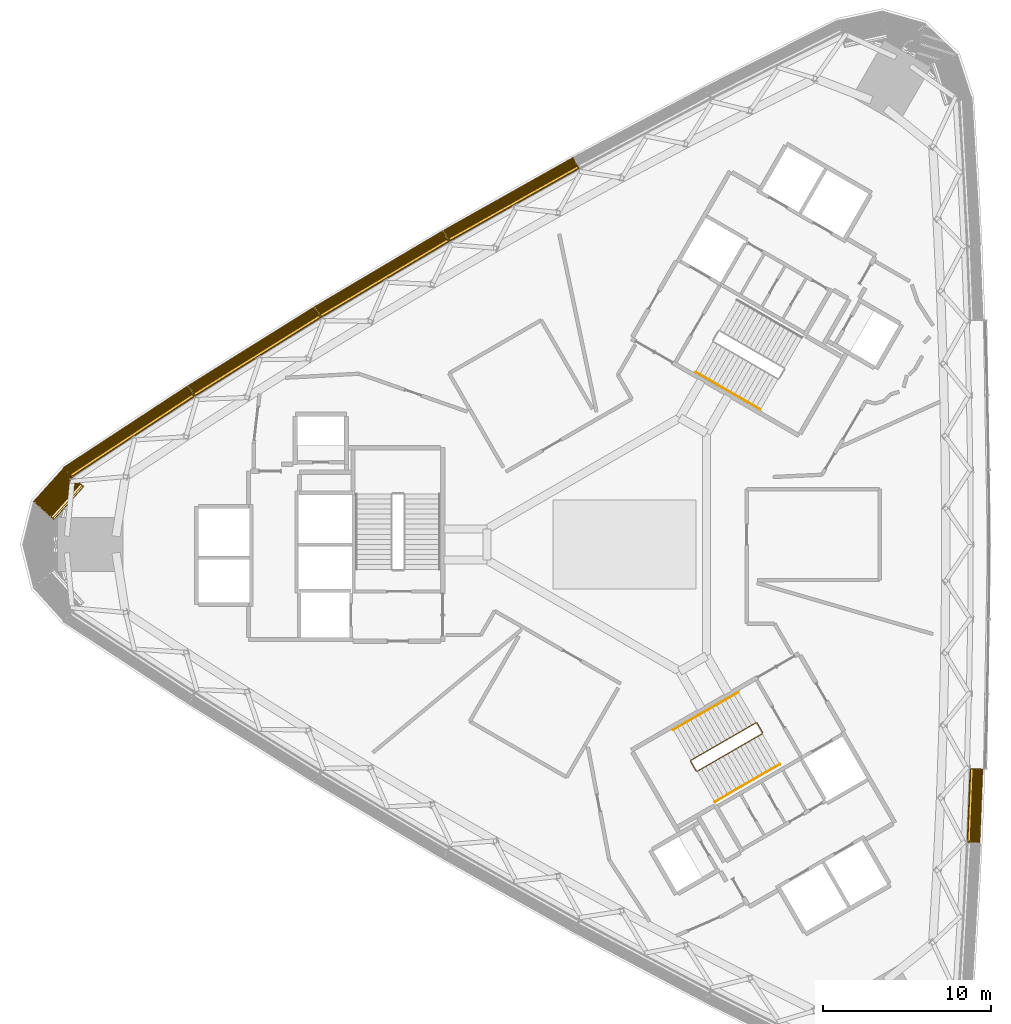
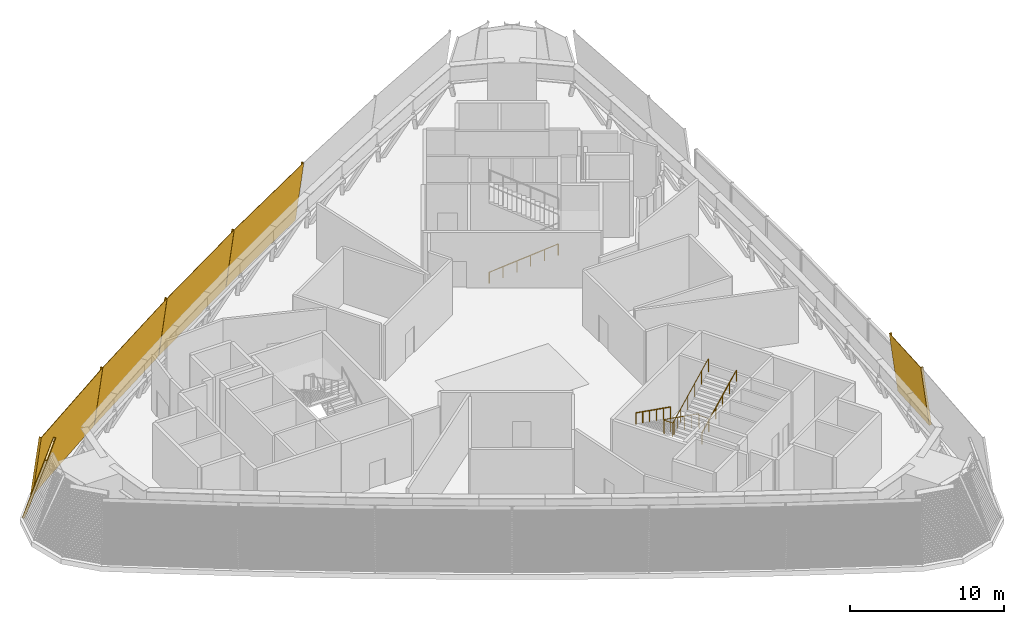
# One storey, part 15 of 17: 6 coverings, 4 railings.
"""IFC4 building model written with IfcOpenShell, lengths in metres."""

import ifcopenshell
import ifcopenshell.guid

model = None  # the IFC model being written
_history = None  # IfcOwnerHistory: only IFC2X3 demands one
_inside = {}  # id of a spatial element -> (the spatial element, [elements in it])
_under = {}  # id of a project, library or spatial element -> (it, [spatial elements below it])
_declared = {}  # id of a project -> (the project, [libraries it declares])
_typed = {}  # id of a type object -> (the type object, [elements of that type])
_made_of = {}  # id of a material, layer set ... -> (it, [elements and type objects made of it])


def new_model(schema):
    """Start an empty IFC model of exactly this schema.

    Asked for "IFC4X3", IfcOpenShell would pick the latest addendum, in which some entities
    have other attributes; the version numbers below select the first issue.
    IFC2X3 requires an IfcOwnerHistory on every rooted entity: one is made here for all.
    """
    global model, _history
    if schema == "IFC4X3":
        model = ifcopenshell.file(schema_version=(4, 3, 0, 0))
    else:
        model = ifcopenshell.file(schema=schema)
    _inside.clear()
    _under.clear()
    _declared.clear()
    _typed.clear()
    _made_of.clear()
    _history = None
    if model.schema == "IFC2X3":
        org = make("IfcOrganization", Name="unknown")
        user = make(
            "IfcPersonAndOrganization",
            ThePerson=make("IfcPerson", FamilyName="unknown"),
            TheOrganization=org,
        )
        app = make(
            "IfcApplication",
            ApplicationDeveloper=org,
            Version="unknown",
            ApplicationFullName="unknown",
            ApplicationIdentifier="unknown",
        )
        _history = make(
            "IfcOwnerHistory",
            OwningUser=user,
            OwningApplication=app,
            ChangeAction="ADDED",
            CreationDate=0,
        )
    return model


def make(cls, **values):
    """One entity of the class cls with the attributes given. An attribute that is None is left unset."""
    return model.create_entity(
        cls, **{name: value for name, value in values.items() if value is not None}
    )


def rooted(cls, **values):
    """An entity with a GlobalId (a new one), such as an element, a storey or a relation."""
    return make(cls, GlobalId=ifcopenshell.guid.new(), OwnerHistory=_history, **values)


def si_unit(unit_type, name, prefix=None):
    """IfcSIUnit, for example si_unit("LENGTHUNIT", "METRE", prefix="MILLI")."""
    return make("IfcSIUnit", UnitType=unit_type, Prefix=prefix, Name=name)


def assignment(units):
    """IfcUnitAssignment: the units of a project."""
    return None if units is None else make("IfcUnitAssignment", Units=units)


def point(xyz):
    """IfcCartesianPoint."""
    return None if xyz is None else make("IfcCartesianPoint", Coordinates=xyz)


def direction(xyz):
    """IfcDirection."""
    return None if xyz is None else make("IfcDirection", DirectionRatios=xyz)


def frame(location, z_axis=None, x_axis=None):
    """IfcAxis2Placement3D, a coordinate frame: its origin and axes. An axis left out is left unset."""
    return make(
        "IfcAxis2Placement3D",
        Location=point(location),
        Axis=direction(z_axis),
        RefDirection=direction(x_axis),
    )


def frame_2d(location, x_axis=None):
    """IfcAxis2Placement2D, a coordinate frame in the plane: its origin and x axis."""
    return make(
        "IfcAxis2Placement2D", Location=point(location), RefDirection=direction(x_axis)
    )


def origin():
    """The frame at (0, 0, 0) with its axes left unset."""
    return frame((0.0, 0.0, 0.0))


def origin_2d():
    """The frame at (0, 0) in the plane with its x axis left unset."""
    return frame_2d((0.0, 0.0))


def place(relative_to, where):
    """IfcLocalPlacement: puts the frame where relative to a parent placement (None: the world)."""
    return make(
        "IfcLocalPlacement", PlacementRelTo=relative_to, RelativePlacement=where
    )


def context(
    kind, dimensions, precision=None, world=None, true_north=None, identifier=None
):
    """IfcGeometricRepresentationContext, for example the 3D "Model" context."""
    return make(
        "IfcGeometricRepresentationContext",
        ContextIdentifier=identifier,
        ContextType=kind,
        CoordinateSpaceDimension=dimensions,
        Precision=precision,
        WorldCoordinateSystem=world,
        TrueNorth=true_north,
    )


def subcontext(parent, identifier, kind, view, scale=None):
    """IfcGeometricRepresentationSubContext, for example "Body" below "Model"."""
    return make(
        "IfcGeometricRepresentationSubContext",
        ContextIdentifier=identifier,
        ContextType=kind,
        ParentContext=parent,
        TargetScale=scale,
        TargetView=view,
    )


def project(units=None, contexts=None):
    """IfcProject with its units and contexts."""
    return rooted(
        "IfcProject",
        Name="project",
        RepresentationContexts=contexts,
        UnitsInContext=assignment(units),
    )


def spatial(cls, under=None, at=None, **own):
    """A site, building, storey or space (cls), placed at a placement, below another one or the project."""
    s = rooted(cls, ObjectPlacement=at, **own)
    if under is not None:
        _under.setdefault(under.id(), (under, []))[1].append(s)
    return s


def profile(cls, at=None, kind="AREA", **sizes):
    """A parametric profile (cls). Its sizes go by their IFC names, for example OverallWidth=200.0."""
    return make(cls, ProfileType=kind, Position=at, **sizes)


def rectangle(**sizes):
    """IfcRectangleProfileDef."""
    return profile("IfcRectangleProfileDef", **sizes)


def circle(**sizes):
    """IfcCircleProfileDef."""
    return profile("IfcCircleProfileDef", **sizes)


def extrude(swept, where, along, depth):
    """IfcExtrudedAreaSolid: the profile swept, set in the frame where, extruded along a direction by depth."""
    return make(
        "IfcExtrudedAreaSolid",
        SweptArea=swept,
        Position=where,
        ExtrudedDirection=direction(along),
        Depth=depth,
    )


def shape(context_of_items, identifier, shape_type, items):
    """IfcShapeRepresentation: the items that make up one representation, for example the "Body"."""
    return make(
        "IfcShapeRepresentation",
        ContextOfItems=context_of_items,
        RepresentationIdentifier=identifier,
        RepresentationType=shape_type,
        Items=items,
    )


def source(mapping_origin, context_of_items, identifier, shape_type, items):
    """IfcRepresentationMap: a shape defined once, which mapped items show again and again."""
    return make(
        "IfcRepresentationMap",
        MappingOrigin=mapping_origin,
        MappedRepresentation=shape(context_of_items, identifier, shape_type, items),
    )


def transform(
    local_origin,
    x_axis=None,
    y_axis=None,
    z_axis=None,
    scale=None,
    scale2=None,
    scale3=None,
    uniform=True,
):
    """IfcCartesianTransformationOperator3D, or its non-uniform kind. x_axis, y_axis, z_axis: its Axis1, 2, 3."""
    if uniform:
        return make(
            "IfcCartesianTransformationOperator3D",
            Axis1=direction(x_axis),
            Axis2=direction(y_axis),
            LocalOrigin=point(local_origin),
            Scale=scale,
            Axis3=direction(z_axis),
        )
    return make(
        "IfcCartesianTransformationOperator3DnonUniform",
        Axis1=direction(x_axis),
        Axis2=direction(y_axis),
        LocalOrigin=point(local_origin),
        Scale=scale,
        Axis3=direction(z_axis),
        Scale2=scale2,
        Scale3=scale3,
    )


def mapped(mapping_source, mapping_target):
    """IfcMappedItem: shows the shape of a source again, moved by a transform."""
    return make(
        "IfcMappedItem", MappingSource=mapping_source, MappingTarget=mapping_target
    )


def material(Name=None, Category=None):
    """IfcMaterial."""
    return make("IfcMaterial", Name=Name, Category=Category)


def made_of(thing, what):
    """Note that an element or type object is made of a material, layer set ...; save() writes the relation."""
    if what is not None:
        _made_of.setdefault(what.id(), (what, []))[1].append(thing)
    return thing


def type_object(cls, material=None, **own):
    """A type object (cls), such as IfcWallType, which elements share."""
    return made_of(rooted(cls, **own), material)


def element(
    cls,
    number,
    at=None,
    inside=None,
    cuts=None,
    type_object=None,
    material=None,
    context=None,
    identifier="Body",
    shape_type=None,
    held_by="IfcProductDefinitionShape",
    body=None,
    shapes=None,
    **own,
):
    """One element of the class cls, such as IfcWall. Its Tag is "e" and its number.

    at: its placement. inside: the storey or other place that contains it. cuts: it is an
    opening in that element (IfcRelVoidsElement). A single representation is given by context,
    identifier, shape_type and body (its items); several are given by shapes. held_by: the class
    of the entity that holds the representations. save() writes the other relations.
    """
    e = rooted(cls, Tag="e%d" % number, ObjectPlacement=at, **own)
    if body is not None:
        shapes = [shape(context, identifier, shape_type, body)]
    if shapes is not None:
        e.Representation = make(held_by, Representations=shapes)
    if inside is not None:
        _inside.setdefault(inside.id(), (inside, []))[1].append(e)
    if cuts is not None:
        rooted(
            "IfcRelVoidsElement", RelatingBuildingElement=cuts, RelatedOpeningElement=e
        )
    if type_object is not None:
        _typed.setdefault(type_object.id(), (type_object, []))[1].append(e)
    return made_of(e, material)


def aggregate(whole, parts):
    """IfcRelAggregates: a whole, such as a stair, and the parts it consists of."""
    return rooted("IfcRelAggregates", RelatingObject=whole, RelatedObjects=parts)


def save(model, path):
    """Write the relations noted so far, then the file.

    IfcRelAggregates (storeys below a building ...), IfcRelContainedInSpatialStructure (elements
    in a storey), IfcRelDefinesByType, IfcRelAssociatesMaterial and IfcRelDeclares: one each for
    every whole, place, type object, material and project.
    """
    for whole, parts in _under.values():
        aggregate(whole, parts)
    for where, things in _inside.values():
        rooted(
            "IfcRelContainedInSpatialStructure",
            RelatedElements=things,
            RelatingStructure=where,
        )
    for kind, things in _typed.values():
        rooted("IfcRelDefinesByType", RelatedObjects=things, RelatingType=kind)
    for what, things in _made_of.values():
        rooted("IfcRelAssociatesMaterial", RelatedObjects=things, RelatingMaterial=what)
    for by, libraries in _declared.values():
        rooted("IfcRelDeclares", RelatingContext=by, RelatedDefinitions=libraries)
    model.write(path)


model = new_model("IFC4")

# Units and contexts
model_context = context("Model", 3, precision=1e-05, world=origin(), true_north=direction((0.0, 1.0)))
body_context = subcontext(model_context, "Body", "Model", "MODEL_VIEW")
ifc_project = project(units=[si_unit("LENGTHUNIT", "METRE"), si_unit("AREAUNIT", "SQUARE_METRE"), si_unit("VOLUMEUNIT", "CUBIC_METRE"), si_unit("PLANEANGLEUNIT", "RADIAN"), si_unit("MASSUNIT", "GRAM", prefix="KILO")], contexts=[model_context])

# Site, building, storey
site_placement = place(None, origin())
site = spatial("IfcSite", under=ifc_project, at=site_placement, CompositionType="ELEMENT")
building_placement = place(site_placement, origin())
building = spatial("IfcBuilding", under=site, at=building_placement, Name="Tamra Quay Hotel Tower", CompositionType="ELEMENT")
storey_placement = place(building_placement, frame((0.0, 0.0, 119.0)))
storey = spatial("IfcBuildingStorey", under=building, at=storey_placement, Name="L29", CompositionType="ELEMENT", Elevation=119.0)

# Railings
ifc_material_1 = material(Name="Stair guard 1100")
railing_type_1 = type_object("IfcRailingType", Name="Stair guard 1100", PredefinedType="GUARDRAIL", material=ifc_material_1)
railing_1_placement = place(storey_placement, frame((8.245849609375, -11.221923828125, 0.0)))
element("IfcRailing", 1, at=railing_1_placement, inside=storey, type_object=railing_type_1, Name="GR", PredefinedType="GUARDRAIL", context=body_context, shape_type="SweptSolid", body=[
    extrude(circle(Radius=0.02392578125, at=origin_2d()), frame((0.0, 0.0, 1.076171875), z_axis=(-0.500043078269, 0.866000531106, 0.0), x_axis=(-0.866000531106, -0.500043078269, 0.0)), (0.0, 0.0, 1.0), 0.6591796875),
    extrude(circle(Radius=0.02392578125, at=origin_2d()), frame((-0.32958984375, 0.57080078125, 1.076171875), z_axis=(-0.41238007866, 0.110458949641, 0.904290601062), x_axis=(-0.258736085224, -0.965948051503, 0.0)), (0.0, 0.0, 1.0), 0.165771484375),
    extrude(circle(Radius=0.02392578125, at=origin_2d()), frame((-0.39794921875, 0.589111328125, 1.22607421875), z_axis=(-0.774075664405, -0.446909609502, 0.448417959844), x_axis=(0.499997328569, -0.86602694613, 0.0)), (0.0, 0.0, 1.0), 5.017578125),
    extrude(circle(Radius=0.02392578125, at=origin_2d()), frame((-4.281982421875, -1.6533203125, 3.47607421875), z_axis=(-0.258736085224, -0.965948051503, 0.0), x_axis=(0.965948051503, -0.258736085224, 0.0)), (0.0, 0.0, 1.0), 0.07080078125),
    extrude(circle(Radius=0.02392578125, at=origin_2d()), frame((-4.30029296875, -1.7216796875, 3.47607421875), z_axis=(0.499765215335, -0.866160914346, 0.0), x_axis=(0.866160914346, 0.499765215335, 0.0)), (0.0, 0.0, 1.0), 0.658935546875),
    extrude(circle(Radius=0.02392578125, at=origin_2d()), frame((-3.970947265625, -2.29248046875, 3.47607421875), z_axis=(0.411831509231, -0.110312011401, 0.90455849349), x_axis=(0.258736085224, 0.965948051503, 0.0)), (0.0, 0.0, 1.0), 0.166015625),
    extrude(circle(Radius=0.02392578125, at=origin_2d()), frame((-3.902587890625, -2.310791015625, 3.6259765625), z_axis=(0.774078333318, 0.446931714007, 0.448391321173), x_axis=(-0.500014583029, 0.866016984105, 0.0)), (0.0, 0.0, 1.0), 5.017822265625),
    extrude(circle(Radius=0.02099609375, at=origin_2d()), origin(), (0.0, 0.0, 1.0), 1.052001953125),
    extrude(circle(Radius=0.02099609375, at=origin_2d()), frame((-0.32958984375, 0.57080078125, 0.0)), (0.0, 0.0, 1.0), 1.052001953125),
    extrude(circle(Radius=0.02099609375, at=origin_2d()), frame((-0.39794921875, 0.589111328125, 0.14990234375)), (0.0, 0.0, 1.0), 1.052001953125),
    extrude(circle(Radius=0.02099609375, at=origin_2d()), frame((-1.1748046875, 0.140625, 0.599853515625)), (0.0, 0.0, 1.0), 1.052001953125),
    extrude(circle(Radius=0.02099609375, at=origin_2d()), frame((-1.95166015625, -0.307861328125, 1.0498046875)), (0.0, 0.0, 1.0), 1.052001953125),
    extrude(circle(Radius=0.02099609375, at=origin_2d()), frame((-2.728271484375, -0.75634765625, 1.5)), (0.0, 0.0, 1.0), 1.052001953125),
    extrude(circle(Radius=0.02099609375, at=origin_2d()), frame((-3.505126953125, -1.204833984375, 1.949951171875)), (0.0, 0.0, 1.0), 1.052001953125),
    extrude(circle(Radius=0.02099609375, at=origin_2d()), frame((-4.281982421875, -1.6533203125, 2.39990234375)), (0.0, 0.0, 1.0), 1.052001953125),
    extrude(circle(Radius=0.02099609375, at=origin_2d()), frame((-4.30029296875, -1.7216796875, 2.39990234375)), (0.0, 0.0, 1.0), 1.052001953125),
    extrude(circle(Radius=0.02099609375, at=origin_2d()), frame((-3.970947265625, -2.29248046875, 2.39990234375)), (0.0, 0.0, 1.0), 1.052001953125),
    extrude(circle(Radius=0.02099609375, at=origin_2d()), frame((-3.902587890625, -2.310791015625, 2.550048828125)), (0.0, 0.0, 1.0), 1.052001953125),
    extrude(circle(Radius=0.02099609375, at=origin_2d()), frame((-3.125732421875, -1.8623046875, 3.0)), (0.0, 0.0, 1.0), 1.052001953125),
    extrude(circle(Radius=0.02099609375, at=origin_2d()), frame((-2.348876953125, -1.413818359375, 3.449951171875)), (0.0, 0.0, 1.0), 1.052001953125),
    extrude(circle(Radius=0.02099609375, at=origin_2d()), frame((-1.572021484375, -0.965087890625, 3.900146484375)), (0.0, 0.0, 1.0), 1.052001953125),
    extrude(circle(Radius=0.02099609375, at=origin_2d()), frame((-0.795166015625, -0.5166015625, 4.35009765625)), (0.0, 0.0, 1.0), 1.052001953125),
    extrude(circle(Radius=0.02099609375, at=origin_2d()), frame((-0.018310546875, -0.068115234375, 4.800048828125)), (0.0, 0.0, 1.0), 1.052001953125),
])
ifc_material_2 = material(Name="Stair handrail 900")
railing_type_2 = type_object("IfcRailingType", Name="Stair handrail 900", PredefinedType="HANDRAIL", material=ifc_material_2)
railing_2_placement = place(storey_placement, frame((4.234375, 10.294189453125, 0.14990234375)))
element("IfcRailing", 2, at=railing_2_placement, inside=storey, type_object=railing_type_2, Name="HR", PredefinedType="HANDRAIL", context=body_context, shape_type="SweptSolid", body=[
    extrude(circle(Radius=0.02392578125, at=origin_2d()), frame((0.0, 0.0, 0.8759765625), z_axis=(0.774075664405, -0.446909609502, 0.448417959844), x_axis=(0.499997328569, 0.86602694613, 0.0)), (0.0, 0.0, 1.0), 5.017578125),
    extrude(circle(Radius=0.02099609375, at=origin_2d()), origin(), (0.0, 0.0, 1.0), 0.851806640625),
    extrude(circle(Radius=0.02099609375, at=origin_2d()), frame((0.77685546875, -0.448486328125, 0.449951171875)), (0.0, 0.0, 1.0), 0.851806640625),
    extrude(circle(Radius=0.02099609375, at=origin_2d()), frame((1.5537109375, -0.89697265625, 0.89990234375)), (0.0, 0.0, 1.0), 0.851806640625),
    extrude(circle(Radius=0.02099609375, at=origin_2d()), frame((2.330322265625, -1.345458984375, 1.35009765625)), (0.0, 0.0, 1.0), 0.851806640625),
    extrude(circle(Radius=0.02099609375, at=origin_2d()), frame((3.107177734375, -1.7939453125, 1.800048828125)), (0.0, 0.0, 1.0), 0.851806640625),
    extrude(circle(Radius=0.02099609375, at=origin_2d()), frame((3.884033203125, -2.242431640625, 2.25)), (0.0, 0.0, 1.0), 0.851806640625),
])
railing_3_placement = place(storey_placement, frame((6.7978515625, -8.814208984375, 0.14990234375)))
element("IfcRailing", 3, at=railing_3_placement, inside=storey, type_object=railing_type_2, Name="HR", PredefinedType="HANDRAIL", context=body_context, shape_type="SweptSolid", body=[
    extrude(circle(Radius=0.02392578125, at=origin_2d()), frame((0.0, 0.0, 0.8759765625), z_axis=(-0.774075664405, -0.446909609502, 0.448417959844), x_axis=(0.499997328569, -0.86602694613, 0.0)), (0.0, 0.0, 1.0), 5.017578125),
    extrude(circle(Radius=0.02099609375, at=origin_2d()), origin(), (0.0, 0.0, 1.0), 0.851806640625),
    extrude(circle(Radius=0.02099609375, at=origin_2d()), frame((-0.77685546875, -0.448486328125, 0.449951171875)), (0.0, 0.0, 1.0), 0.851806640625),
    extrude(circle(Radius=0.02099609375, at=origin_2d()), frame((-1.5537109375, -0.89697265625, 0.89990234375)), (0.0, 0.0, 1.0), 0.851806640625),
    extrude(circle(Radius=0.02099609375, at=origin_2d()), frame((-2.330322265625, -1.345458984375, 1.35009765625)), (0.0, 0.0, 1.0), 0.851806640625),
    extrude(circle(Radius=0.02099609375, at=origin_2d()), frame((-3.107177734375, -1.7939453125, 1.800048828125)), (0.0, 0.0, 1.0), 0.851806640625),
    extrude(circle(Radius=0.02099609375, at=origin_2d()), frame((-3.884033203125, -2.242431640625, 2.25)), (0.0, 0.0, 1.0), 0.851806640625),
])
railing_4_placement = place(storey_placement, frame((5.393310546875, -15.351318359375, 2.550048828125)))
element("IfcRailing", 4, at=railing_4_placement, inside=storey, type_object=railing_type_2, Name="HR", PredefinedType="HANDRAIL", context=body_context, shape_type="SweptSolid", body=[
    extrude(circle(Radius=0.02392578125, at=origin_2d()), frame((0.0, 0.0, 0.8759765625), z_axis=(0.774075664405, 0.446909609502, 0.448417959844), x_axis=(-0.499997328569, 0.86602694613, 0.0)), (0.0, 0.0, 1.0), 5.017578125),
    extrude(circle(Radius=0.02099609375, at=origin_2d()), origin(), (0.0, 0.0, 1.0), 0.851806640625),
    extrude(circle(Radius=0.02099609375, at=origin_2d()), frame((0.77685546875, 0.448486328125, 0.449951171875)), (0.0, 0.0, 1.0), 0.851806640625),
    extrude(circle(Radius=0.02099609375, at=origin_2d()), frame((1.5537109375, 0.89697265625, 0.89990234375)), (0.0, 0.0, 1.0), 0.851806640625),
    extrude(circle(Radius=0.02099609375, at=origin_2d()), frame((2.330322265625, 1.345458984375, 1.35009765625)), (0.0, 0.0, 1.0), 0.851806640625),
    extrude(circle(Radius=0.02099609375, at=origin_2d()), frame((3.107177734375, 1.7939453125, 1.800048828125)), (0.0, 0.0, 1.0), 0.851806640625),
    extrude(circle(Radius=0.02099609375, at=origin_2d()), frame((3.884033203125, 2.242431640625, 2.25)), (0.0, 0.0, 1.0), 0.851806640625),
])

# Coverings
ifc_material_3 = material(Name="Terracotta louvre panel", Category="masonry")
covering_type_1 = type_object("IfcCoveringType", Name="PLANT LOUVRE H4841", PredefinedType="USERDEFINED", material=ifc_material_3)
shared_shape_1 = source(origin(), body_context, "Body", "SweptSolid", [
    extrude(rectangle(XDim=8.8798828125, YDim=0.030029296875, at=frame_2d((4.43994140625, 0.01513671875))), frame((-4.43994140625, -0.030029296875, 0.0)), (0.0, 0.0, 1.0), 4.841064453125),
    extrude(rectangle(XDim=0.050048828125, YDim=0.139892578125, at=frame_2d((0.02490234375, 0.06982421875))), frame((-4.43994140625, -0.169921875, 0.0)), (0.0, 0.0, 1.0), 4.841064453125),
    extrude(rectangle(XDim=0.050048828125, YDim=0.139892578125, at=frame_2d((0.02490234375, 0.06982421875))), frame((4.389892578125, -0.169921875, 0.0)), (0.0, 0.0, 1.0), 4.841064453125),
    extrude(rectangle(XDim=8.780029296875, YDim=0.139892578125, at=frame_2d((4.39013671875, 0.06982421875))), frame((-4.389892578125, -0.169921875, 0.050048828125)), (0.0, 0.0, 1.0), 0.034912109375),
    extrude(rectangle(XDim=8.780029296875, YDim=0.139892578125, at=frame_2d((4.39013671875, 0.06982421875))), frame((-4.389892578125, -0.169921875, 0.2099609375)), (0.0, 0.0, 1.0), 0.034912109375),
    extrude(rectangle(XDim=8.780029296875, YDim=0.139892578125, at=frame_2d((4.39013671875, 0.06982421875))), frame((-4.389892578125, -0.169921875, 0.3701171875)), (0.0, 0.0, 1.0), 0.034912109375),
    extrude(rectangle(XDim=8.780029296875, YDim=0.139892578125, at=frame_2d((4.39013671875, 0.06982421875))), frame((-4.389892578125, -0.169921875, 0.530029296875)), (0.0, 0.0, 1.0), 0.034912109375),
    extrude(rectangle(XDim=8.780029296875, YDim=0.139892578125, at=frame_2d((4.39013671875, 0.06982421875))), frame((-4.389892578125, -0.169921875, 0.68994140625)), (0.0, 0.0, 1.0), 0.034912109375),
    extrude(rectangle(XDim=8.780029296875, YDim=0.139892578125, at=frame_2d((4.39013671875, 0.06982421875))), frame((-4.389892578125, -0.169921875, 0.85009765625)), (0.0, 0.0, 1.0), 0.034912109375),
    extrude(rectangle(XDim=8.780029296875, YDim=0.139892578125, at=frame_2d((4.39013671875, 0.06982421875))), frame((-4.389892578125, -0.169921875, 1.010009765625)), (0.0, 0.0, 1.0), 0.034912109375),
    extrude(rectangle(XDim=8.780029296875, YDim=0.139892578125, at=frame_2d((4.39013671875, 0.06982421875))), frame((-4.389892578125, -0.169921875, 1.169921875)), (0.0, 0.0, 1.0), 0.034912109375),
    extrude(rectangle(XDim=8.780029296875, YDim=0.139892578125, at=frame_2d((4.39013671875, 0.06982421875))), frame((-4.389892578125, -0.169921875, 1.330078125)), (0.0, 0.0, 1.0), 0.034912109375),
    extrude(rectangle(XDim=8.780029296875, YDim=0.139892578125, at=frame_2d((4.39013671875, 0.06982421875))), frame((-4.389892578125, -0.169921875, 1.489990234375)), (0.0, 0.0, 1.0), 0.034912109375),
    extrude(rectangle(XDim=8.780029296875, YDim=0.139892578125, at=frame_2d((4.39013671875, 0.06982421875))), frame((-4.389892578125, -0.169921875, 1.64990234375)), (0.0, 0.0, 1.0), 0.034912109375),
    extrude(rectangle(XDim=8.780029296875, YDim=0.139892578125, at=frame_2d((4.39013671875, 0.06982421875))), frame((-4.389892578125, -0.169921875, 1.81005859375)), (0.0, 0.0, 1.0), 0.034912109375),
    extrude(rectangle(XDim=8.780029296875, YDim=0.139892578125, at=frame_2d((4.39013671875, 0.06982421875))), frame((-4.389892578125, -0.169921875, 1.969970703125)), (0.0, 0.0, 1.0), 0.034912109375),
    extrude(rectangle(XDim=8.780029296875, YDim=0.139892578125, at=frame_2d((4.39013671875, 0.06982421875))), frame((-4.389892578125, -0.169921875, 2.1298828125)), (0.0, 0.0, 1.0), 0.034912109375),
    extrude(rectangle(XDim=8.780029296875, YDim=0.139892578125, at=frame_2d((4.39013671875, 0.06982421875))), frame((-4.389892578125, -0.169921875, 2.2900390625)), (0.0, 0.0, 1.0), 0.034912109375),
    extrude(rectangle(XDim=8.780029296875, YDim=0.139892578125, at=frame_2d((4.39013671875, 0.06982421875))), frame((-4.389892578125, -0.169921875, 2.449951171875)), (0.0, 0.0, 1.0), 0.034912109375),
    extrude(rectangle(XDim=8.780029296875, YDim=0.139892578125, at=frame_2d((4.39013671875, 0.06982421875))), frame((-4.389892578125, -0.169921875, 2.610107421875)), (0.0, 0.0, 1.0), 0.034912109375),
    extrude(rectangle(XDim=8.780029296875, YDim=0.139892578125, at=frame_2d((4.39013671875, 0.06982421875))), frame((-4.389892578125, -0.169921875, 2.77001953125)), (0.0, 0.0, 1.0), 0.034912109375),
    extrude(rectangle(XDim=8.780029296875, YDim=0.139892578125, at=frame_2d((4.39013671875, 0.06982421875))), frame((-4.389892578125, -0.169921875, 2.929931640625)), (0.0, 0.0, 1.0), 0.034912109375),
    extrude(rectangle(XDim=8.780029296875, YDim=0.139892578125, at=frame_2d((4.39013671875, 0.06982421875))), frame((-4.389892578125, -0.169921875, 3.090087890625)), (0.0, 0.0, 1.0), 0.034912109375),
    extrude(rectangle(XDim=8.780029296875, YDim=0.139892578125, at=frame_2d((4.39013671875, 0.06982421875))), frame((-4.389892578125, -0.169921875, 3.25)), (0.0, 0.0, 1.0), 0.034912109375),
    extrude(rectangle(XDim=8.780029296875, YDim=0.139892578125, at=frame_2d((4.39013671875, 0.06982421875))), frame((-4.389892578125, -0.169921875, 3.409912109375)), (0.0, 0.0, 1.0), 0.034912109375),
    extrude(rectangle(XDim=8.780029296875, YDim=0.139892578125, at=frame_2d((4.39013671875, 0.06982421875))), frame((-4.389892578125, -0.169921875, 3.570068359375)), (0.0, 0.0, 1.0), 0.034912109375),
    extrude(rectangle(XDim=8.780029296875, YDim=0.139892578125, at=frame_2d((4.39013671875, 0.06982421875))), frame((-4.389892578125, -0.169921875, 3.72998046875)), (0.0, 0.0, 1.0), 0.034912109375),
    extrude(rectangle(XDim=8.780029296875, YDim=0.139892578125, at=frame_2d((4.39013671875, 0.06982421875))), frame((-4.389892578125, -0.169921875, 3.889892578125)), (0.0, 0.0, 1.0), 0.034912109375),
    extrude(rectangle(XDim=8.780029296875, YDim=0.139892578125, at=frame_2d((4.39013671875, 0.06982421875))), frame((-4.389892578125, -0.169921875, 4.050048828125)), (0.0, 0.0, 1.0), 0.034912109375),
    extrude(rectangle(XDim=8.780029296875, YDim=0.139892578125, at=frame_2d((4.39013671875, 0.06982421875))), frame((-4.389892578125, -0.169921875, 4.2099609375)), (0.0, 0.0, 1.0), 0.034912109375),
    extrude(rectangle(XDim=8.780029296875, YDim=0.139892578125, at=frame_2d((4.39013671875, 0.06982421875))), frame((-4.389892578125, -0.169921875, 4.3701171875)), (0.0, 0.0, 1.0), 0.034912109375),
    extrude(rectangle(XDim=8.780029296875, YDim=0.139892578125, at=frame_2d((4.39013671875, 0.06982421875))), frame((-4.389892578125, -0.169921875, 4.530029296875)), (0.0, 0.0, 1.0), 0.034912109375),
])
for number, where, z_axis, x_axis, name in (
    (5, (-6.86083984375, 20.791015625, 0.0), (0.06396754211, -0.113777152416, 0.991444861374), (-0.871680621957, -0.490074375279, 0.0), "Plant louvre L29.NW.f04"),
    (6, (-14.5751953125, 16.337158203125, 0.0), (0.066550133308, -0.112286092693, 0.991444861374), (-0.860257169714, -0.509860374961, 0.0), "Plant louvre L29.NW.f06"),
    (7, (-22.18603515625, 11.708251953125, 0.0), (0.06909589031, -0.110737729784, 0.991444861374), (-0.848394700717, -0.52936417691, 0.0), "Plant louvre L29.NW.f08"),
    (8, (-29.68896484375, 6.906982421875, 0.0), (0.071599788769, -0.109135498825, 0.991444861374), (-0.836119532552, -0.548547288104, 0.0), "Plant louvre L29.NW.f10"),
):
    element("IfcCovering", number, at=place(storey_placement, frame(where, z_axis=z_axis, x_axis=x_axis)), inside=storey, type_object=covering_type_1, Name=name, ObjectType="LOUVER", PredefinedType="USERDEFINED", context=body_context, shape_type="MappedRepresentation", body=[
        mapped(shared_shape_1, transform((0.0, 0.0, 0.0), scale=1.0)),
    ])
shared_shape_2 = source(origin(), body_context, "Body", "SweptSolid", [
    extrude(rectangle(XDim=4.419921875, YDim=0.030029296875, at=frame_2d((2.2099609375, 0.01513671875))), frame((-2.2099609375, -0.030029296875, 0.0)), (0.0, 0.0, 1.0), 4.841064453125),
    extrude(rectangle(XDim=0.050048828125, YDim=0.139892578125, at=frame_2d((0.02490234375, 0.06982421875))), frame((-2.2099609375, -0.169921875, 0.0)), (0.0, 0.0, 1.0), 4.841064453125),
    extrude(rectangle(XDim=0.050048828125, YDim=0.139892578125, at=frame_2d((0.02490234375, 0.06982421875))), frame((2.159912109375, -0.169921875, 0.0)), (0.0, 0.0, 1.0), 4.841064453125),
    extrude(rectangle(XDim=4.320068359375, YDim=0.139892578125, at=frame_2d((2.16015625, 0.06982421875))), frame((-2.159912109375, -0.169921875, 0.050048828125)), (0.0, 0.0, 1.0), 0.034912109375),
    extrude(rectangle(XDim=4.320068359375, YDim=0.139892578125, at=frame_2d((2.16015625, 0.06982421875))), frame((-2.159912109375, -0.169921875, 0.2099609375)), (0.0, 0.0, 1.0), 0.034912109375),
    extrude(rectangle(XDim=4.320068359375, YDim=0.139892578125, at=frame_2d((2.16015625, 0.06982421875))), frame((-2.159912109375, -0.169921875, 0.3701171875)), (0.0, 0.0, 1.0), 0.034912109375),
    extrude(rectangle(XDim=4.320068359375, YDim=0.139892578125, at=frame_2d((2.16015625, 0.06982421875))), frame((-2.159912109375, -0.169921875, 0.530029296875)), (0.0, 0.0, 1.0), 0.034912109375),
    extrude(rectangle(XDim=4.320068359375, YDim=0.139892578125, at=frame_2d((2.16015625, 0.06982421875))), frame((-2.159912109375, -0.169921875, 0.68994140625)), (0.0, 0.0, 1.0), 0.034912109375),
    extrude(rectangle(XDim=4.320068359375, YDim=0.139892578125, at=frame_2d((2.16015625, 0.06982421875))), frame((-2.159912109375, -0.169921875, 0.85009765625)), (0.0, 0.0, 1.0), 0.034912109375),
    extrude(rectangle(XDim=4.320068359375, YDim=0.139892578125, at=frame_2d((2.16015625, 0.06982421875))), frame((-2.159912109375, -0.169921875, 1.010009765625)), (0.0, 0.0, 1.0), 0.034912109375),
    extrude(rectangle(XDim=4.320068359375, YDim=0.139892578125, at=frame_2d((2.16015625, 0.06982421875))), frame((-2.159912109375, -0.169921875, 1.169921875)), (0.0, 0.0, 1.0), 0.034912109375),
    extrude(rectangle(XDim=4.320068359375, YDim=0.139892578125, at=frame_2d((2.16015625, 0.06982421875))), frame((-2.159912109375, -0.169921875, 1.330078125)), (0.0, 0.0, 1.0), 0.034912109375),
    extrude(rectangle(XDim=4.320068359375, YDim=0.139892578125, at=frame_2d((2.16015625, 0.06982421875))), frame((-2.159912109375, -0.169921875, 1.489990234375)), (0.0, 0.0, 1.0), 0.034912109375),
    extrude(rectangle(XDim=4.320068359375, YDim=0.139892578125, at=frame_2d((2.16015625, 0.06982421875))), frame((-2.159912109375, -0.169921875, 1.64990234375)), (0.0, 0.0, 1.0), 0.034912109375),
    extrude(rectangle(XDim=4.320068359375, YDim=0.139892578125, at=frame_2d((2.16015625, 0.06982421875))), frame((-2.159912109375, -0.169921875, 1.81005859375)), (0.0, 0.0, 1.0), 0.034912109375),
    extrude(rectangle(XDim=4.320068359375, YDim=0.139892578125, at=frame_2d((2.16015625, 0.06982421875))), frame((-2.159912109375, -0.169921875, 1.969970703125)), (0.0, 0.0, 1.0), 0.034912109375),
    extrude(rectangle(XDim=4.320068359375, YDim=0.139892578125, at=frame_2d((2.16015625, 0.06982421875))), frame((-2.159912109375, -0.169921875, 2.1298828125)), (0.0, 0.0, 1.0), 0.034912109375),
    extrude(rectangle(XDim=4.320068359375, YDim=0.139892578125, at=frame_2d((2.16015625, 0.06982421875))), frame((-2.159912109375, -0.169921875, 2.2900390625)), (0.0, 0.0, 1.0), 0.034912109375),
    extrude(rectangle(XDim=4.320068359375, YDim=0.139892578125, at=frame_2d((2.16015625, 0.06982421875))), frame((-2.159912109375, -0.169921875, 2.449951171875)), (0.0, 0.0, 1.0), 0.034912109375),
    extrude(rectangle(XDim=4.320068359375, YDim=0.139892578125, at=frame_2d((2.16015625, 0.06982421875))), frame((-2.159912109375, -0.169921875, 2.610107421875)), (0.0, 0.0, 1.0), 0.034912109375),
    extrude(rectangle(XDim=4.320068359375, YDim=0.139892578125, at=frame_2d((2.16015625, 0.06982421875))), frame((-2.159912109375, -0.169921875, 2.77001953125)), (0.0, 0.0, 1.0), 0.034912109375),
    extrude(rectangle(XDim=4.320068359375, YDim=0.139892578125, at=frame_2d((2.16015625, 0.06982421875))), frame((-2.159912109375, -0.169921875, 2.929931640625)), (0.0, 0.0, 1.0), 0.034912109375),
    extrude(rectangle(XDim=4.320068359375, YDim=0.139892578125, at=frame_2d((2.16015625, 0.06982421875))), frame((-2.159912109375, -0.169921875, 3.090087890625)), (0.0, 0.0, 1.0), 0.034912109375),
    extrude(rectangle(XDim=4.320068359375, YDim=0.139892578125, at=frame_2d((2.16015625, 0.06982421875))), frame((-2.159912109375, -0.169921875, 3.25)), (0.0, 0.0, 1.0), 0.034912109375),
    extrude(rectangle(XDim=4.320068359375, YDim=0.139892578125, at=frame_2d((2.16015625, 0.06982421875))), frame((-2.159912109375, -0.169921875, 3.409912109375)), (0.0, 0.0, 1.0), 0.034912109375),
    extrude(rectangle(XDim=4.320068359375, YDim=0.139892578125, at=frame_2d((2.16015625, 0.06982421875))), frame((-2.159912109375, -0.169921875, 3.570068359375)), (0.0, 0.0, 1.0), 0.034912109375),
    extrude(rectangle(XDim=4.320068359375, YDim=0.139892578125, at=frame_2d((2.16015625, 0.06982421875))), frame((-2.159912109375, -0.169921875, 3.72998046875)), (0.0, 0.0, 1.0), 0.034912109375),
    extrude(rectangle(XDim=4.320068359375, YDim=0.139892578125, at=frame_2d((2.16015625, 0.06982421875))), frame((-2.159912109375, -0.169921875, 3.889892578125)), (0.0, 0.0, 1.0), 0.034912109375),
    extrude(rectangle(XDim=4.320068359375, YDim=0.139892578125, at=frame_2d((2.16015625, 0.06982421875))), frame((-2.159912109375, -0.169921875, 4.050048828125)), (0.0, 0.0, 1.0), 0.034912109375),
    extrude(rectangle(XDim=4.320068359375, YDim=0.139892578125, at=frame_2d((2.16015625, 0.06982421875))), frame((-2.159912109375, -0.169921875, 4.2099609375)), (0.0, 0.0, 1.0), 0.034912109375),
    extrude(rectangle(XDim=4.320068359375, YDim=0.139892578125, at=frame_2d((2.16015625, 0.06982421875))), frame((-2.159912109375, -0.169921875, 4.3701171875)), (0.0, 0.0, 1.0), 0.034912109375),
    extrude(rectangle(XDim=4.320068359375, YDim=0.139892578125, at=frame_2d((2.16015625, 0.06982421875))), frame((-2.159912109375, -0.169921875, 4.530029296875)), (0.0, 0.0, 1.0), 0.034912109375),
])
covering_1_placement = place(storey_placement, frame((21.1435546875, -15.584716796875, 0.0), z_axis=(-0.130422023632, 0.005213694203, 0.991444861374), x_axis=(0.039943662758, 0.999201933448, 0.0)))
element("IfcCovering", 9, at=covering_1_placement, inside=storey, type_object=covering_type_1, Name="Plant louvre L29.E.f02s", ObjectType="LOUVER", PredefinedType="USERDEFINED", context=body_context, shape_type="MappedRepresentation", body=[
    mapped(shared_shape_2, transform((0.0, 0.0, 0.0), scale=1.0)),
])
covering_type_2 = type_object("IfcCoveringType", Name="PLANT LOUVRE H5033", PredefinedType="USERDEFINED", material=ifc_material_3)
shared_shape_3 = source(origin(), body_context, "Body", "SweptSolid", [
    extrude(rectangle(XDim=2.699951171875, YDim=0.030029296875, at=frame_2d((1.35009765625, 0.01513671875))), frame((-1.35009765625, -0.030029296875, 0.0)), (0.0, 0.0, 1.0), 5.032958984375),
    extrude(rectangle(XDim=0.050048828125, YDim=0.139892578125, at=frame_2d((0.02490234375, 0.06982421875))), frame((-1.35009765625, -0.169921875, 0.0)), (0.0, 0.0, 1.0), 5.032958984375),
    extrude(rectangle(XDim=0.050048828125, YDim=0.139892578125, at=frame_2d((0.02490234375, 0.06982421875))), frame((1.300048828125, -0.169921875, 0.0)), (0.0, 0.0, 1.0), 5.032958984375),
    extrude(rectangle(XDim=2.60009765625, YDim=0.139892578125, at=frame_2d((1.300048828125, 0.06982421875))), frame((-1.300048828125, -0.169921875, 0.050048828125)), (0.0, 0.0, 1.0), 0.034912109375),
    extrude(rectangle(XDim=2.60009765625, YDim=0.139892578125, at=frame_2d((1.300048828125, 0.06982421875))), frame((-1.300048828125, -0.169921875, 0.2099609375)), (0.0, 0.0, 1.0), 0.034912109375),
    extrude(rectangle(XDim=2.60009765625, YDim=0.139892578125, at=frame_2d((1.300048828125, 0.06982421875))), frame((-1.300048828125, -0.169921875, 0.3701171875)), (0.0, 0.0, 1.0), 0.034912109375),
    extrude(rectangle(XDim=2.60009765625, YDim=0.139892578125, at=frame_2d((1.300048828125, 0.06982421875))), frame((-1.300048828125, -0.169921875, 0.530029296875)), (0.0, 0.0, 1.0), 0.034912109375),
    extrude(rectangle(XDim=2.60009765625, YDim=0.139892578125, at=frame_2d((1.300048828125, 0.06982421875))), frame((-1.300048828125, -0.169921875, 0.68994140625)), (0.0, 0.0, 1.0), 0.034912109375),
    extrude(rectangle(XDim=2.60009765625, YDim=0.139892578125, at=frame_2d((1.300048828125, 0.06982421875))), frame((-1.300048828125, -0.169921875, 0.85009765625)), (0.0, 0.0, 1.0), 0.034912109375),
    extrude(rectangle(XDim=2.60009765625, YDim=0.139892578125, at=frame_2d((1.300048828125, 0.06982421875))), frame((-1.300048828125, -0.169921875, 1.010009765625)), (0.0, 0.0, 1.0), 0.034912109375),
    extrude(rectangle(XDim=2.60009765625, YDim=0.139892578125, at=frame_2d((1.300048828125, 0.06982421875))), frame((-1.300048828125, -0.169921875, 1.169921875)), (0.0, 0.0, 1.0), 0.034912109375),
    extrude(rectangle(XDim=2.60009765625, YDim=0.139892578125, at=frame_2d((1.300048828125, 0.06982421875))), frame((-1.300048828125, -0.169921875, 1.330078125)), (0.0, 0.0, 1.0), 0.034912109375),
    extrude(rectangle(XDim=2.60009765625, YDim=0.139892578125, at=frame_2d((1.300048828125, 0.06982421875))), frame((-1.300048828125, -0.169921875, 1.489990234375)), (0.0, 0.0, 1.0), 0.034912109375),
    extrude(rectangle(XDim=2.60009765625, YDim=0.139892578125, at=frame_2d((1.300048828125, 0.06982421875))), frame((-1.300048828125, -0.169921875, 1.64990234375)), (0.0, 0.0, 1.0), 0.034912109375),
    extrude(rectangle(XDim=2.60009765625, YDim=0.139892578125, at=frame_2d((1.300048828125, 0.06982421875))), frame((-1.300048828125, -0.169921875, 1.81005859375)), (0.0, 0.0, 1.0), 0.034912109375),
    extrude(rectangle(XDim=2.60009765625, YDim=0.139892578125, at=frame_2d((1.300048828125, 0.06982421875))), frame((-1.300048828125, -0.169921875, 1.969970703125)), (0.0, 0.0, 1.0), 0.034912109375),
    extrude(rectangle(XDim=2.60009765625, YDim=0.139892578125, at=frame_2d((1.300048828125, 0.06982421875))), frame((-1.300048828125, -0.169921875, 2.1298828125)), (0.0, 0.0, 1.0), 0.034912109375),
    extrude(rectangle(XDim=2.60009765625, YDim=0.139892578125, at=frame_2d((1.300048828125, 0.06982421875))), frame((-1.300048828125, -0.169921875, 2.2900390625)), (0.0, 0.0, 1.0), 0.034912109375),
    extrude(rectangle(XDim=2.60009765625, YDim=0.139892578125, at=frame_2d((1.300048828125, 0.06982421875))), frame((-1.300048828125, -0.169921875, 2.449951171875)), (0.0, 0.0, 1.0), 0.034912109375),
    extrude(rectangle(XDim=2.60009765625, YDim=0.139892578125, at=frame_2d((1.300048828125, 0.06982421875))), frame((-1.300048828125, -0.169921875, 2.610107421875)), (0.0, 0.0, 1.0), 0.034912109375),
    extrude(rectangle(XDim=2.60009765625, YDim=0.139892578125, at=frame_2d((1.300048828125, 0.06982421875))), frame((-1.300048828125, -0.169921875, 2.77001953125)), (0.0, 0.0, 1.0), 0.034912109375),
    extrude(rectangle(XDim=2.60009765625, YDim=0.139892578125, at=frame_2d((1.300048828125, 0.06982421875))), frame((-1.300048828125, -0.169921875, 2.929931640625)), (0.0, 0.0, 1.0), 0.034912109375),
    extrude(rectangle(XDim=2.60009765625, YDim=0.139892578125, at=frame_2d((1.300048828125, 0.06982421875))), frame((-1.300048828125, -0.169921875, 3.090087890625)), (0.0, 0.0, 1.0), 0.034912109375),
    extrude(rectangle(XDim=2.60009765625, YDim=0.139892578125, at=frame_2d((1.300048828125, 0.06982421875))), frame((-1.300048828125, -0.169921875, 3.25)), (0.0, 0.0, 1.0), 0.034912109375),
    extrude(rectangle(XDim=2.60009765625, YDim=0.139892578125, at=frame_2d((1.300048828125, 0.06982421875))), frame((-1.300048828125, -0.169921875, 3.409912109375)), (0.0, 0.0, 1.0), 0.034912109375),
    extrude(rectangle(XDim=2.60009765625, YDim=0.139892578125, at=frame_2d((1.300048828125, 0.06982421875))), frame((-1.300048828125, -0.169921875, 3.570068359375)), (0.0, 0.0, 1.0), 0.034912109375),
    extrude(rectangle(XDim=2.60009765625, YDim=0.139892578125, at=frame_2d((1.300048828125, 0.06982421875))), frame((-1.300048828125, -0.169921875, 3.72998046875)), (0.0, 0.0, 1.0), 0.034912109375),
    extrude(rectangle(XDim=2.60009765625, YDim=0.139892578125, at=frame_2d((1.300048828125, 0.06982421875))), frame((-1.300048828125, -0.169921875, 3.889892578125)), (0.0, 0.0, 1.0), 0.034912109375),
    extrude(rectangle(XDim=2.60009765625, YDim=0.139892578125, at=frame_2d((1.300048828125, 0.06982421875))), frame((-1.300048828125, -0.169921875, 4.050048828125)), (0.0, 0.0, 1.0), 0.034912109375),
    extrude(rectangle(XDim=2.60009765625, YDim=0.139892578125, at=frame_2d((1.300048828125, 0.06982421875))), frame((-1.300048828125, -0.169921875, 4.2099609375)), (0.0, 0.0, 1.0), 0.034912109375),
    extrude(rectangle(XDim=2.60009765625, YDim=0.139892578125, at=frame_2d((1.300048828125, 0.06982421875))), frame((-1.300048828125, -0.169921875, 4.3701171875)), (0.0, 0.0, 1.0), 0.034912109375),
    extrude(rectangle(XDim=2.60009765625, YDim=0.139892578125, at=frame_2d((1.300048828125, 0.06982421875))), frame((-1.300048828125, -0.169921875, 4.530029296875)), (0.0, 0.0, 1.0), 0.034912109375),
    extrude(rectangle(XDim=2.60009765625, YDim=0.139892578125, at=frame_2d((1.300048828125, 0.06982421875))), frame((-1.300048828125, -0.169921875, 4.68994140625)), (0.0, 0.0, 1.0), 0.034912109375),
])
covering_2_placement = place(storey_placement, frame((-34.26171875, 3.473876953125, 0.0), z_axis=(0.223208419689, -0.201499328127, 0.953716950748), x_axis=(-0.670087934649, -0.742281725383, 0.0)))
element("IfcCovering", 10, at=covering_2_placement, inside=storey, type_object=covering_type_2, Name="Plant louvre L29.NW.c00", ObjectType="LOUVER", PredefinedType="USERDEFINED", context=body_context, shape_type="MappedRepresentation", body=[
    mapped(shared_shape_3, transform((0.0, 0.0, 0.0), scale=1.0)),
])

save(model, "model.ifc")
